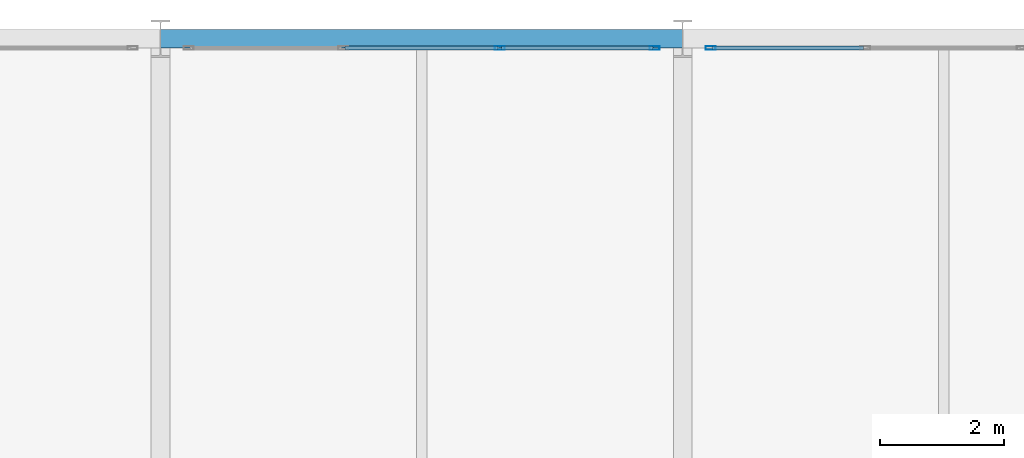
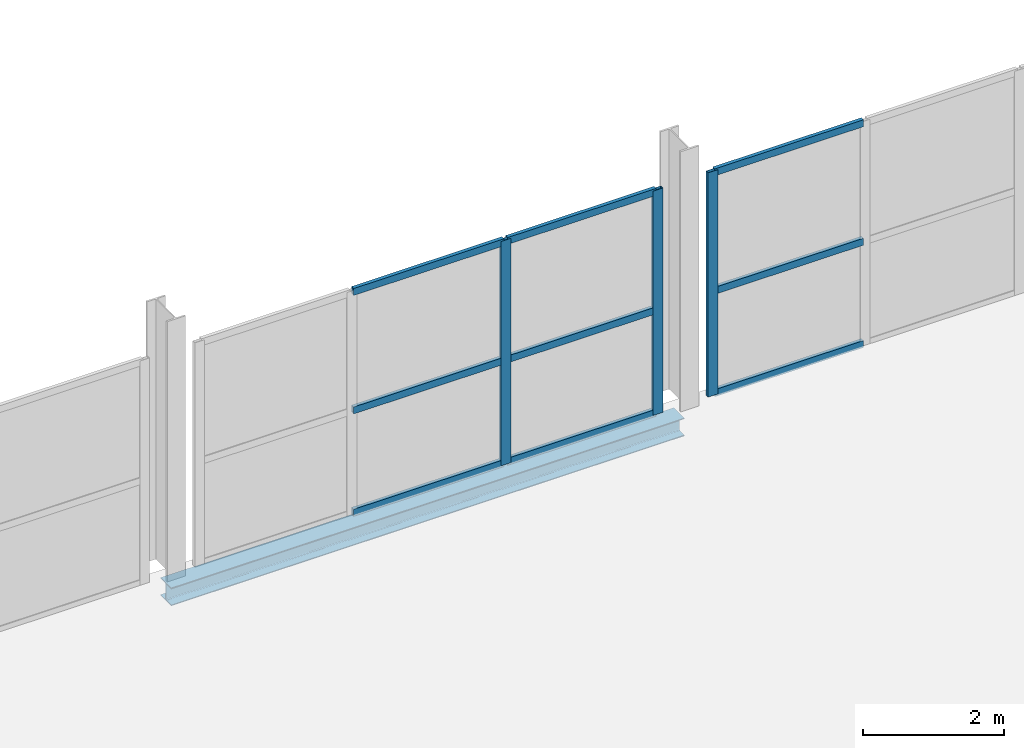
# One storey, part 54 of 109: 12 members, 1 beam, 2 elements without a shape of their own.
"""IFC4 building model written with IfcOpenShell, lengths in metres."""

from ifc_helpers import new_model, si_unit, direction, frame, origin, origin_2d, place, context, subcontext, project, spatial, hollow_rectangle, i_section, extrude, material, material_profile, profile_set, type_object, element, aggregate, save


model = new_model("IFC4")

# Units and contexts
model_context = context("Model", 3, precision=1e-05, world=origin(), true_north=direction((0.0, 1.0)))
body_context = subcontext(model_context, "Body", "Model", "MODEL_VIEW")
ifc_project = project(units=[si_unit("LENGTHUNIT", "METRE"), si_unit("AREAUNIT", "SQUARE_METRE"), si_unit("VOLUMEUNIT", "CUBIC_METRE"), si_unit("PLANEANGLEUNIT", "RADIAN"), si_unit("MASSUNIT", "GRAM", prefix="KILO")], contexts=[model_context])

# Site, building, storey
site_placement = place(None, origin())
site = spatial("IfcSite", under=ifc_project, at=site_placement, CompositionType="ELEMENT")
building_placement = place(site_placement, origin())
building = spatial("IfcBuilding", under=site, at=building_placement, Name="Veltarok Museum of Natural Sciences", CompositionType="ELEMENT")
storey_placement = place(building_placement, frame((0.0, 0.0, 17.39990234375)))
storey = spatial("IfcBuildingStorey", under=building, at=storey_placement, Name="L03", CompositionType="ELEMENT", Elevation=17.39990234375)

# Curtain wall, members
ifc_material_1 = material(Name="Low-iron triple insulated glass", Category="glass")
curtain_wall_type_1 = type_object("IfcCurtainWallType", Name="Curtain Wall System CW-V2N-L03-7-756x388 (V2 North Hall L03 7-8 756x388cm)", PredefinedType="NOTDEFINED", material=ifc_material_1)
curtain_wall_1_placement = place(storey_placement, origin())
curtain_wall_1 = element("IfcCurtainWall", 1, at=curtain_wall_1_placement, inside=storey, type_object=curtain_wall_type_1, Name="Curtain Wall CW-V2N-L03-7-756x388 CW-0056", PredefinedType="NOTDEFINED")
ifc_material_2 = material(Name="Thermally broken anodised aluminium", Category="aluminium")
ifc_material_profile_1 = material_profile(ifc_material_2, hollow_rectangle(XDim=0.06005859375, YDim=0.1201171875, WallThickness=0.0048828125, at=origin_2d()), Name="CW TRANSOM 60x120x5")
ifc_profile_set_1 = profile_set([ifc_material_profile_1], Name="Thermally broken anodised aluminium")
member_type_1 = type_object("IfcMemberType", Name="Curtain Wall Horizontal Transom 60x120x5", PredefinedType="USERDEFINED", material=ifc_profile_set_1)
member_1_placement = place(storey_placement, frame((64.719970703125, 71.85009765625, 0.030029296875), z_axis=(-1.0, 0.0, 0.0), x_axis=(0.0, -1.0, 0.0)))
member_1 = element("IfcMember", 2, at=member_1_placement, type_object=member_type_1, Name="CW-V2N-L03-7-756x388 transom 1.1", ObjectType="TRANSOM", PredefinedType="USERDEFINED", context=body_context, shape_type="SweptSolid", body=[
    extrude(hollow_rectangle(XDim=0.06005859375, YDim=0.1201171875, WallThickness=0.0048828125, at=origin_2d()), origin(), (0.0, 0.0, 1.0), 2.429931640625),
])
member_2_placement = place(storey_placement, frame((64.719970703125, 71.85009765625, 1.800048828125), z_axis=(-1.0, 0.0, 0.0), x_axis=(0.0, -1.0, 0.0)))
member_2 = element("IfcMember", 3, at=member_2_placement, type_object=member_type_1, Name="CW-V2N-L03-7-756x388 transom 1.2", ObjectType="TRANSOM", PredefinedType="USERDEFINED", context=body_context, shape_type="SweptSolid", body=[
    extrude(hollow_rectangle(XDim=0.06005859375, YDim=0.1201171875, WallThickness=0.0048828125, at=origin_2d()), origin(), (0.0, 0.0, 1.0), 2.429931640625),
])
member_3_placement = place(storey_placement, frame((64.719970703125, 71.85009765625, 3.85009765625), z_axis=(-1.0, 0.0, 0.0), x_axis=(0.0, -1.0, 0.0)))
member_3 = element("IfcMember", 4, at=member_3_placement, type_object=member_type_1, Name="CW-V2N-L03-7-756x388 transom 1.3", ObjectType="TRANSOM", PredefinedType="USERDEFINED", context=body_context, shape_type="SweptSolid", body=[
    extrude(hollow_rectangle(XDim=0.06005859375, YDim=0.1201171875, WallThickness=0.0048828125, at=origin_2d()), origin(), (0.0, 0.0, 1.0), 2.429931640625),
])
member_4_placement = place(storey_placement, frame((62.22998046875, 71.85009765625, 0.030029296875), z_axis=(-1.0, 0.0, 0.0), x_axis=(0.0, -1.0, 0.0)))
member_4 = element("IfcMember", 5, at=member_4_placement, type_object=member_type_1, Name="CW-V2N-L03-7-756x388 transom 2.1", ObjectType="TRANSOM", PredefinedType="USERDEFINED", context=body_context, shape_type="SweptSolid", body=[
    extrude(hollow_rectangle(XDim=0.06005859375, YDim=0.1201171875, WallThickness=0.0048828125, at=origin_2d()), origin(), (0.0, 0.0, 1.0), 2.4599609375),
])
member_5_placement = place(storey_placement, frame((62.22998046875, 71.85009765625, 1.800048828125), z_axis=(-1.0, 0.0, 0.0), x_axis=(0.0, -1.0, 0.0)))
member_5 = element("IfcMember", 6, at=member_5_placement, type_object=member_type_1, Name="CW-V2N-L03-7-756x388 transom 2.2", ObjectType="TRANSOM", PredefinedType="USERDEFINED", context=body_context, shape_type="SweptSolid", body=[
    extrude(hollow_rectangle(XDim=0.06005859375, YDim=0.1201171875, WallThickness=0.0048828125, at=origin_2d()), origin(), (0.0, 0.0, 1.0), 2.4599609375),
])
member_6_placement = place(storey_placement, frame((62.22998046875, 71.85009765625, 3.85009765625), z_axis=(-1.0, 0.0, 0.0), x_axis=(0.0, -1.0, 0.0)))
member_6 = element("IfcMember", 7, at=member_6_placement, type_object=member_type_1, Name="CW-V2N-L03-7-756x388 transom 2.3", ObjectType="TRANSOM", PredefinedType="USERDEFINED", context=body_context, shape_type="SweptSolid", body=[
    extrude(hollow_rectangle(XDim=0.06005859375, YDim=0.1201171875, WallThickness=0.0048828125, at=origin_2d()), origin(), (0.0, 0.0, 1.0), 2.4599609375),
])

curtain_wall_type_2 = type_object("IfcCurtainWallType", Name="Curtain Wall System CW-V2N-L03-8-756x388 (V2 North Hall L03 8-9 756x388cm)", PredefinedType="NOTDEFINED", material=ifc_material_1)
curtain_wall_2_placement = place(storey_placement, origin())
curtain_wall_2 = element("IfcCurtainWall", 8, at=curtain_wall_2_placement, inside=storey, type_object=curtain_wall_type_2, Name="Curtain Wall CW-V2N-L03-8-756x388 CW-0057", PredefinedType="NOTDEFINED")
member_7_placement = place(storey_placement, frame((68.110107421875, 71.85009765625, 0.030029296875), z_axis=(-1.0, 0.0, 0.0), x_axis=(0.0, -1.0, 0.0)))
member_7 = element("IfcMember", 9, at=member_7_placement, type_object=member_type_1, Name="CW-V2N-L03-8-756x388 transom 3.1", ObjectType="TRANSOM", PredefinedType="USERDEFINED", context=body_context, shape_type="SweptSolid", body=[
    extrude(hollow_rectangle(XDim=0.06005859375, YDim=0.1201171875, WallThickness=0.0048828125, at=origin_2d()), origin(), (0.0, 0.0, 1.0), 2.43017578125),
])
member_8_placement = place(storey_placement, frame((68.110107421875, 71.85009765625, 1.800048828125), z_axis=(-1.0, 0.0, 0.0), x_axis=(0.0, -1.0, 0.0)))
member_8 = element("IfcMember", 10, at=member_8_placement, type_object=member_type_1, Name="CW-V2N-L03-8-756x388 transom 3.2", ObjectType="TRANSOM", PredefinedType="USERDEFINED", context=body_context, shape_type="SweptSolid", body=[
    extrude(hollow_rectangle(XDim=0.06005859375, YDim=0.1201171875, WallThickness=0.0048828125, at=origin_2d()), origin(), (0.0, 0.0, 1.0), 2.43017578125),
])
member_9_placement = place(storey_placement, frame((68.110107421875, 71.85009765625, 3.85009765625), z_axis=(-1.0, 0.0, 0.0), x_axis=(0.0, -1.0, 0.0)))
member_9 = element("IfcMember", 11, at=member_9_placement, type_object=member_type_1, Name="CW-V2N-L03-8-756x388 transom 3.3", ObjectType="TRANSOM", PredefinedType="USERDEFINED", context=body_context, shape_type="SweptSolid", body=[
    extrude(hollow_rectangle(XDim=0.06005859375, YDim=0.1201171875, WallThickness=0.0048828125, at=origin_2d()), origin(), (0.0, 0.0, 1.0), 2.43017578125),
])

# Member
ifc_material_profile_2 = material_profile(ifc_material_2, hollow_rectangle(XDim=0.06005859375, YDim=0.159912109375, WallThickness=0.0048828125, at=origin_2d()), Name="CW MULLION 60x160x5")
ifc_profile_set_2 = profile_set([ifc_material_profile_2], Name="Thermally broken anodised aluminium")
member_type_2 = type_object("IfcMemberType", Name="Curtain Wall Vertical Mullion 60x160x5", PredefinedType="MULLION", material=ifc_profile_set_2)
member_10_placement = place(storey_placement, frame((64.75, 71.85009765625, 0.0), z_axis=(0.0, 0.0, 1.0), x_axis=(0.0, -1.0, 0.0)))
member_10 = element("IfcMember", 12, at=member_10_placement, type_object=member_type_2, Name="CW-V2N-L03-7-756x388 mullion 1", PredefinedType="MULLION", context=body_context, shape_type="SweptSolid", body=[
    extrude(hollow_rectangle(XDim=0.06005859375, YDim=0.159912109375, WallThickness=0.0048828125, at=origin_2d()), origin(), (0.0, 0.0, 1.0), 3.880126953125),
])

member_11_placement = place(storey_placement, frame((62.260009765625, 71.85009765625, 0.0), z_axis=(0.0, 0.0, 1.0), x_axis=(0.0, -1.0, 0.0)))
member_11 = element("IfcMember", 13, at=member_11_placement, type_object=member_type_2, Name="CW-V2N-L03-7-756x388 mullion 2", PredefinedType="MULLION", context=body_context, shape_type="SweptSolid", body=[
    extrude(hollow_rectangle(XDim=0.06005859375, YDim=0.159912109375, WallThickness=0.0048828125, at=origin_2d()), origin(), (0.0, 0.0, 1.0), 3.880126953125),
])

aggregate(curtain_wall_1, [member_10, member_11, member_1, member_2, member_3, member_4, member_5, member_6])

member_12_placement = place(storey_placement, frame((65.64990234375, 71.85009765625, 0.0), z_axis=(0.0, 0.0, 1.0), x_axis=(0.0, -1.0, 0.0)))
member_12 = element("IfcMember", 14, at=member_12_placement, type_object=member_type_2, Name="CW-V2N-L03-8-756x388 mullion 4", PredefinedType="MULLION", context=body_context, shape_type="SweptSolid", body=[
    extrude(hollow_rectangle(XDim=0.06005859375, YDim=0.159912109375, WallThickness=0.0048828125, at=origin_2d()), origin(), (0.0, 0.0, 1.0), 3.880126953125),
])

aggregate(curtain_wall_2, [member_12, member_7, member_8, member_9])

# Beam
ifc_material_3 = material(Name="Steel S355J2", Category="steel")
ifc_material_profile_3 = material_profile(ifc_material_3, i_section(OverallWidth=0.300048828125, OverallDepth=0.31005859375, WebThickness=0.009033203125, FlangeThickness=0.015380859375, FilletRadius=0.027099609375, at=origin_2d()), Name="HEA 320")
ifc_profile_set_3 = profile_set([ifc_material_profile_3], Name="Steel S355J2")
beam_type = type_object("IfcBeamType", Name="Perimeter Edge Spandrel HEA 320", PredefinedType="SPANDREL", material=ifc_profile_set_3)
beam_placement = place(storey_placement, frame((56.800048828125, 72.0, -0.40478515625), z_axis=(1.0, 0.0, 0.0), x_axis=(0.0, 1.0, 0.0)))
element("IfcBeam", 15, at=beam_placement, inside=storey, type_object=beam_type, Name="Beam BM-SP04 L03 7-8/H", PredefinedType="SPANDREL", context=body_context, shape_type="SweptSolid", body=[
    extrude(i_section(OverallWidth=0.300048828125, OverallDepth=0.31005859375, WebThickness=0.009033203125, FlangeThickness=0.015380859375, FilletRadius=0.027099609375, at=origin_2d()), origin(), (0.0, 0.0, 1.0), 8.39990234375),
])

save(model, "model.ifc")
